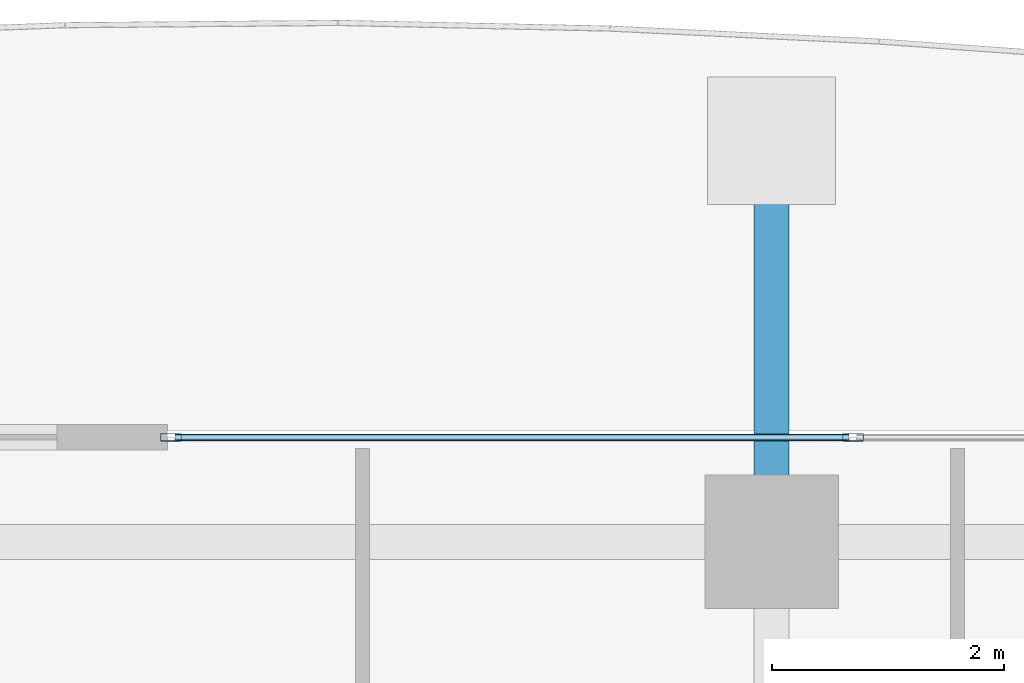
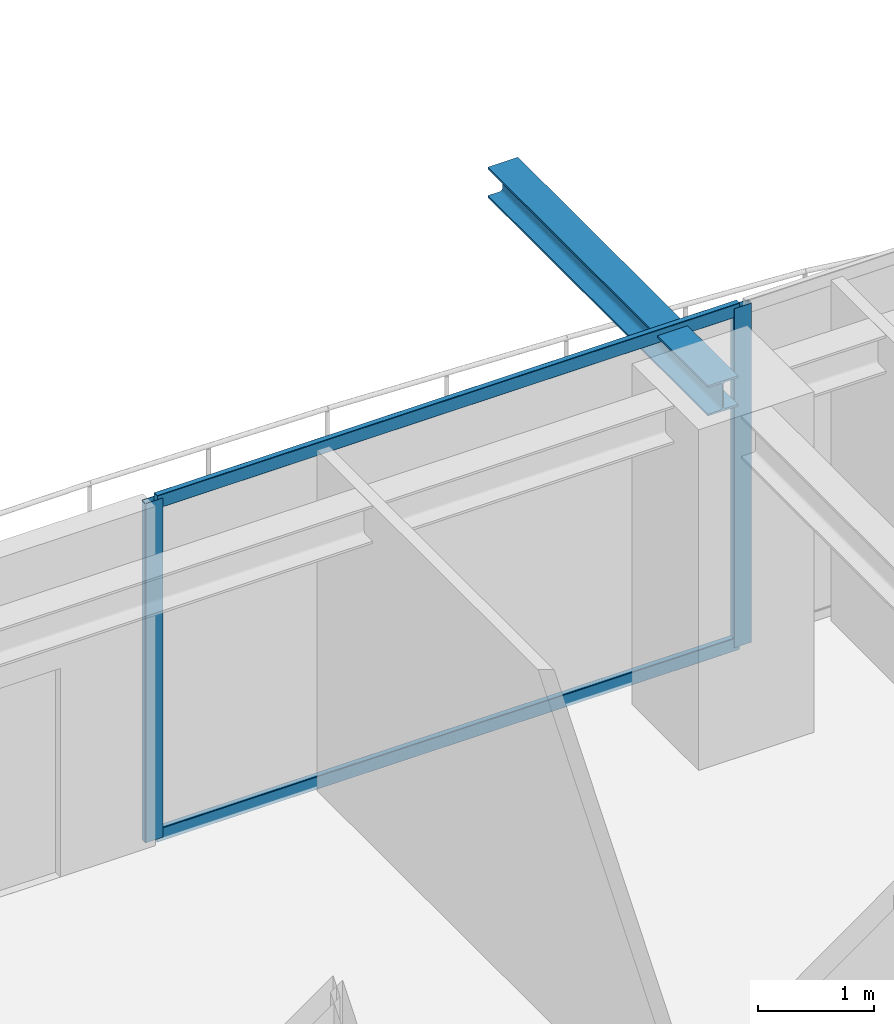
# One storey, part 21 of 37: 4 members, 1 beam, 1 element without a shape of its own.
"""IFC4 building model written with IfcOpenShell, lengths in metres."""

from ifc_helpers import new_model, si_unit, direction, frame, origin, origin_2d, place, context, subcontext, project, spatial, hollow_rectangle, i_section, extrude, source, transform, mapped, material, layer, layer_set, material_profile, profile_set, type_object, element, aggregate, save


model = new_model("IFC4")

# Units and contexts
model_context = context("Model", 3, precision=1e-05, world=origin(), true_north=direction((0.0, 1.0)))
body_context = subcontext(model_context, "Body", "Model", "MODEL_VIEW")
ifc_project = project(units=[si_unit("LENGTHUNIT", "METRE"), si_unit("AREAUNIT", "SQUARE_METRE"), si_unit("VOLUMEUNIT", "CUBIC_METRE"), si_unit("PLANEANGLEUNIT", "RADIAN"), si_unit("MASSUNIT", "GRAM", prefix="KILO")], contexts=[model_context])

# Site, building, storey
site_placement = place(None, origin())
site = spatial("IfcSite", under=ifc_project, at=site_placement, CompositionType="ELEMENT")
building_placement = place(site_placement, origin())
building = spatial("IfcBuilding", under=site, at=building_placement, Name="Serunith Strait Residences", CompositionType="ELEMENT")
storey_placement = place(building_placement, frame((0.0, 0.0, 248.949951171875)))
storey = spatial("IfcBuildingStorey", under=building, at=storey_placement, Name="L62", CompositionType="ELEMENT", Elevation=248.949951171875)

# Beam
ifc_material_1 = material(Name="Steel S355J2", Category="steel")
ifc_material_profile_1 = material_profile(ifc_material_1, i_section(OverallWidth=0.300048828125, OverallDepth=0.320068359375, WebThickness=0.011474609375, FlangeThickness=0.0205078125, FilletRadius=0.027099609375, at=origin_2d()), Name="HEB 320")
ifc_profile_set_1 = profile_set([ifc_material_profile_1], Name="Steel S355J2")
beam_type = type_object("IfcBeamType", Name="BM-HEB320", PredefinedType="BEAM", material=ifc_profile_set_1)
shared_shape_1 = source(origin(), body_context, "Body", "SweptSolid", [
    extrude(i_section(OverallWidth=0.300048828125, OverallDepth=0.320068359375, WebThickness=0.011474609375, FlangeThickness=0.0205078125, FilletRadius=0.027099609375, at=origin_2d()), origin(), (0.0, 0.0, 1.0), 3.800048828125),
])
beam_placement = place(storey_placement, frame((36.89990234375, 48.300048828125, 3.39697265625), z_axis=(0.0, 1.0, 0.0), x_axis=(-1.0, 0.0, 0.0)))
element("IfcBeam", 1, at=beam_placement, inside=storey, type_object=beam_type, Name="L63 Cantilevered Balcony Rib TC-N3", PredefinedType="BEAM", context=body_context, shape_type="MappedRepresentation", body=[
    mapped(shared_shape_1, transform((0.0, 0.0, 0.0), scale=1.0)),
])

# Curtain wall, members
ifc_material_2 = material(Name="Pale-Champagne Anodised Aluminium", Category="aluminium")
ifc_layer = layer(ifc_material_2, 0.199951171875, Name="Pale-Champagne Anodised Aluminium")
ifc_layer_set = layer_set([ifc_layer], Name="Pale-Champagne Anodised Aluminium")
curtain_wall_type = type_object("IfcCurtainWallType", Name="CW-SYS4", PredefinedType="NOTDEFINED", material=ifc_layer_set)
curtain_wall_placement = place(storey_placement, origin())
curtain_wall = element("IfcCurtainWall", 2, at=curtain_wall_placement, inside=storey, type_object=curtain_wall_type, Name="L62 N Unitised Fritted Curtain Wall", PredefinedType="NOTDEFINED")
ifc_material_profile_2 = material_profile(ifc_material_2, hollow_rectangle(XDim=0.06494140625, YDim=0.179931640625, WallThickness=0.00341796875, InnerFilletRadius=0.00537109375, OuterFilletRadius=0.0087890625, at=origin_2d()), Name="ALU 180x65x3.5")
ifc_profile_set_2 = profile_set([ifc_material_profile_2], Name="Pale-Champagne Anodised Aluminium")
member_type_1 = type_object("IfcMemberType", Name="CW-SYS4-MULL", PredefinedType="MULLION", material=ifc_profile_set_2)
shared_shape_2 = source(origin(), body_context, "Body", "SweptSolid", [
    extrude(hollow_rectangle(XDim=0.06494140625, YDim=0.179931640625, WallThickness=0.00341796875, InnerFilletRadius=0.00537109375, OuterFilletRadius=0.0087890625, at=origin_2d()), origin(), (0.0, 0.0, 1.0), 3.574951171875),
])
member_1_placement = place(storey_placement, frame((37.60009765625, 49.199951171875, 0.0), z_axis=(0.0, 0.0, 1.0), x_axis=(0.0, -1.0, 0.0)))
member_1 = element("IfcMember", 3, at=member_1_placement, type_object=member_type_1, Name="CW-4 mullion 3", PredefinedType="MULLION", context=body_context, shape_type="MappedRepresentation", body=[
    mapped(shared_shape_2, transform((0.0, 0.0, 0.0), scale=1.0)),
])
member_2_placement = place(storey_placement, frame((31.732421875, 49.199951171875, 0.0), z_axis=(0.0, 0.0, 1.0), x_axis=(0.0, -1.0, 0.0)))
member_2 = element("IfcMember", 4, at=member_2_placement, type_object=member_type_1, Name="CW-4 mullion 4", PredefinedType="MULLION", context=body_context, shape_type="MappedRepresentation", body=[
    mapped(shared_shape_2, transform((0.0, 0.0, 0.0), scale=1.0)),
])
ifc_material_profile_3 = material_profile(ifc_material_2, hollow_rectangle(XDim=0.06005859375, YDim=0.139892578125, WallThickness=0.00341796875, InnerFilletRadius=0.00537109375, OuterFilletRadius=0.0087890625, at=origin_2d()), Name="ALU 140x60x3.5")
ifc_profile_set_3 = profile_set([ifc_material_profile_3], Name="Pale-Champagne Anodised Aluminium")
member_type_2 = type_object("IfcMemberType", Name="CW-SYS4-TRAN", PredefinedType="USERDEFINED", material=ifc_profile_set_3)
shared_shape_3 = source(origin(), body_context, "Body", "SweptSolid", [
    extrude(hollow_rectangle(XDim=0.06005859375, YDim=0.139892578125, WallThickness=0.00341796875, InnerFilletRadius=0.00537109375, OuterFilletRadius=0.0087890625, at=origin_2d()), origin(), (0.0, 0.0, 1.0), 5.802490234375),
])
member_3_placement = place(storey_placement, frame((37.5673828125, 49.199951171875, 0.030029296875), z_axis=(-1.0, 0.0, 0.0), x_axis=(0.0, -1.0, 0.0)))
member_3 = element("IfcMember", 5, at=member_3_placement, type_object=member_type_2, Name="CW-4 transom 3.1", ObjectType="TRANSOM", PredefinedType="USERDEFINED", context=body_context, shape_type="MappedRepresentation", body=[
    mapped(shared_shape_3, transform((0.0, 0.0, 0.0), scale=1.0)),
])
member_4_placement = place(storey_placement, frame((37.5673828125, 49.199951171875, 3.545166015625), z_axis=(-1.0, 0.0, 0.0), x_axis=(0.0, -1.0, 0.0)))
member_4 = element("IfcMember", 6, at=member_4_placement, type_object=member_type_2, Name="CW-4 transom 3.2", ObjectType="TRANSOM", PredefinedType="USERDEFINED", context=body_context, shape_type="MappedRepresentation", body=[
    mapped(shared_shape_3, transform((0.0, 0.0, 0.0), scale=1.0)),
])
aggregate(curtain_wall, [member_1, member_2, member_3, member_4])

save(model, "model.ifc")
